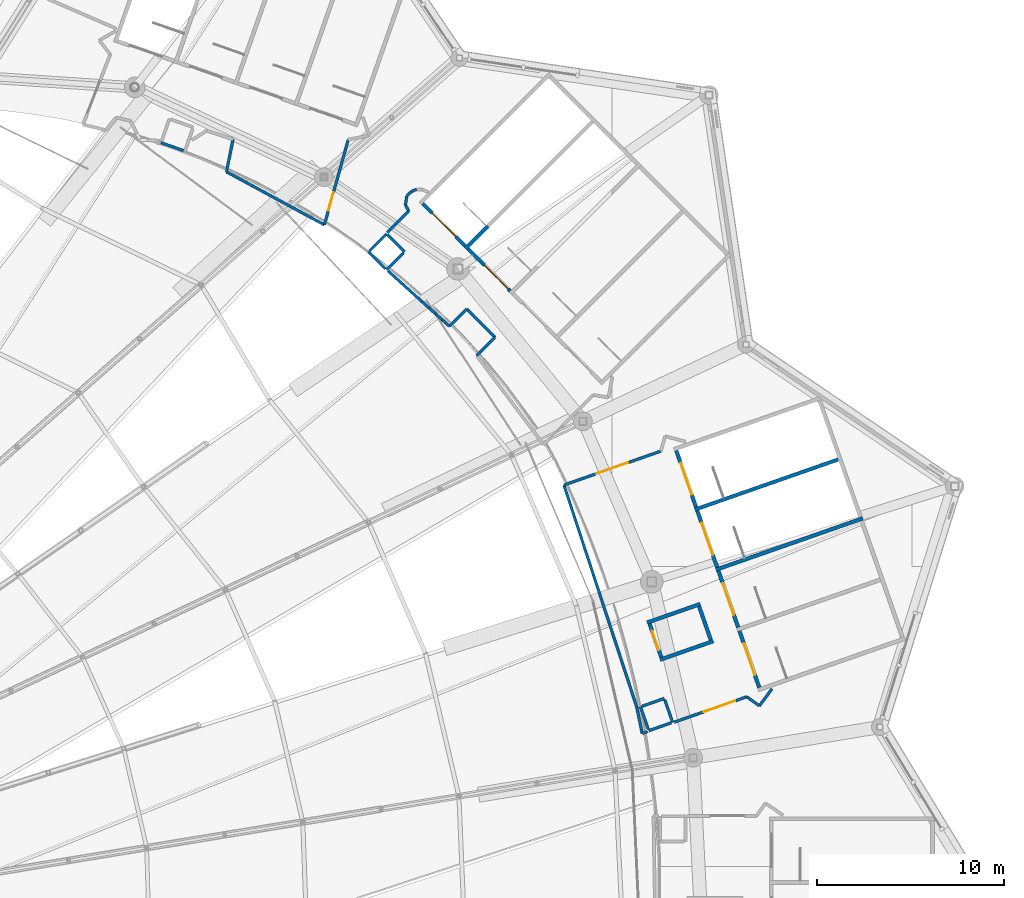
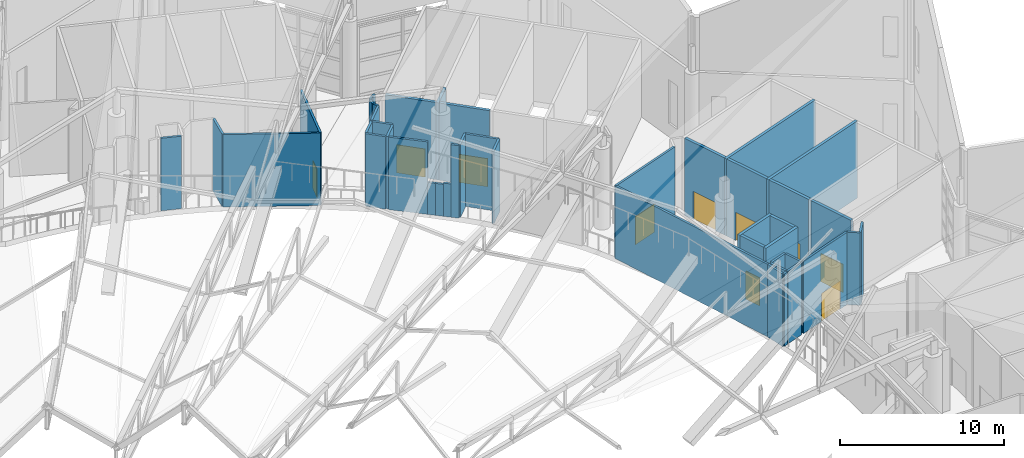
# One storey, part 270 of 344: 45 walls, 10 doors, 10 openings.
"""IFC4 building model written with IfcOpenShell, lengths in metres."""

from ifc_helpers import new_model, si_unit, direction, frame, frame_2d, origin, place, context, subcontext, project, spatial, rectangle, extrude, material, layer, layer_set, type_object, element, fill, save


model = new_model("IFC4")

# Units and contexts
model_context = context("Model", 3, precision=1e-05, world=origin(), true_north=direction((0.0, 1.0)))
body_context = subcontext(model_context, "Body", "Model", "MODEL_VIEW")
ifc_project = project(units=[si_unit("LENGTHUNIT", "METRE"), si_unit("AREAUNIT", "SQUARE_METRE"), si_unit("VOLUMEUNIT", "CUBIC_METRE"), si_unit("PLANEANGLEUNIT", "RADIAN"), si_unit("MASSUNIT", "GRAM", prefix="KILO")], contexts=[model_context])

# Site, building, storey
site_placement = place(None, origin())
site = spatial("IfcSite", under=ifc_project, at=site_placement, CompositionType="ELEMENT")
building_placement = place(site_placement, origin())
building = spatial("IfcBuilding", under=site, at=building_placement, Name="Meseta Stadium", CompositionType="ELEMENT")
storey_placement = place(building_placement, frame((0.0, 0.0, 24.0)))
storey = spatial("IfcBuildingStorey", under=building, at=storey_placement, Name="L04", CompositionType="ELEMENT", Elevation=24.0)

# Walls
ifc_material_1 = material(Name="Concrete C40/50", Category="concrete")
ifc_layer_1 = layer(ifc_material_1, 0.199951171875)
ifc_layer_set_1 = layer_set([ifc_layer_1], Name="Core divider wall 200")
wall_type_1 = type_object("IfcWallType", Name="Core divider wall 200", PredefinedType="SHEAR", material=ifc_layer_set_1)
wall_1_placement = place(storey_placement, frame((92.260009765625, 69.789306640625, 0.0), z_axis=(0.0, 0.0, 1.0), x_axis=(-0.943878073457, -0.330294084791, 0.0)))
element("IfcWall", 1, at=wall_1_placement, inside=storey, type_object=wall_type_1, Name="Core 06 L04 stair B divider wall", PredefinedType="SHEAR", context=body_context, shape_type="SweptSolid", body=[
    extrude(rectangle(XDim=8.300048828125, YDim=0.199951171875, at=frame_2d((4.14990234375, 0.0))), origin(), (0.0, 0.0, 1.0), 5.75),
])
wall_2_placement = place(storey_placement, frame((73.364990234375, 82.17333984375, 0.0), z_axis=(0.0, 0.0, 1.0), x_axis=(-0.707034968179, -0.707178586901, 0.0)))
element("IfcWall", 2, at=wall_2_placement, inside=storey, type_object=wall_type_1, Name="Core 07 L04 stair B divider wall", PredefinedType="SHEAR", context=body_context, shape_type="SweptSolid", body=[
    extrude(rectangle(XDim=1.699951171875, YDim=0.199951171875, at=frame_2d((0.85009765625, 0.0))), origin(), (0.0, 0.0, 1.0), 5.75),
])
ifc_material_2 = material(Name="Concrete C40/50", Category="concrete")
ifc_layer_2 = layer(ifc_material_2, 0.199951171875)
ifc_layer_set_2 = layer_set([ifc_layer_2], Name="Core shaft wall 200")
wall_type_2 = type_object("IfcWallType", Name="Core shaft wall 200", PredefinedType="SHEAR", material=ifc_layer_set_2)
wall_3_placement = place(storey_placement, frame((93.3828125, 66.580078125, 0.0), z_axis=(0.0, 0.0, 1.0), x_axis=(-0.943878073457, -0.330294084791, 0.0)))
element("IfcWall", 3, at=wall_3_placement, inside=storey, type_object=wall_type_2, Name="Core 06 L04 stair wall shared", PredefinedType="SHEAR", context=body_context, shape_type="SweptSolid", body=[
    extrude(rectangle(XDim=8.300048828125, YDim=0.199951171875, at=frame_2d((4.14990234375, 0.0))), origin(), (0.0, 0.0, 1.0), 5.75),
])

# Wall, opening, door
wall_4_placement = place(storey_placement, frame((87.85595703125, 57.547607421875, 0.0), z_axis=(0.0, 0.0, 1.0), x_axis=(-0.330268863922, 0.943886898693, 0.0)))
wall_4 = element("IfcWall", 4, at=wall_4_placement, inside=storey, type_object=wall_type_2, Name="Core 06 L04 stair A1 inner end wall", PredefinedType="SHEAR", context=body_context, shape_type="SweptSolid", body=[
    extrude(rectangle(XDim=3.2001953125, YDim=0.199951171875, at=frame_2d((1.60009765625, 0.0))), origin(), (0.0, 0.0, 1.0), 5.75),
])
opening_1_placement = place(wall_4_placement, frame((0.699951171875, 0.0, 0.0)))
opening_1 = element("IfcOpeningElement", 5, at=opening_1_placement, cuts=wall_4, Name="Opening D1654", PredefinedType="OPENING", context=body_context, shape_type="SweptSolid", body=[
    extrude(rectangle(XDim=1.800048828125, YDim=2.10009765625, at=frame_2d((0.89990234375, 1.050048828125))), frame((0.0, 0.10986328125, 0.0), z_axis=(0.0, -1.0, 0.0), x_axis=(1.0, 0.0, 0.0)), (0.0, 0.0, 1.0), 0.219970703125),
])
ifc_material_3 = material(Name="Steel", Category="steel")
door_type_1 = type_object("IfcDoorType", Name="Stair door 1800x2100", OperationType="DOUBLE_DOOR_SINGLE_SWING", PredefinedType="DOOR", material=ifc_material_3)
door_1_placement = place(opening_1_placement, origin())
door_1 = element("IfcDoor", 6, at=door_1_placement, inside=storey, type_object=door_type_1, Name="Stair A1 door 06 L04", OperationType="DOUBLE_DOOR_SINGLE_SWING", OverallHeight=2.10009765625, OverallWidth=1.800048828125, PredefinedType="DOOR", context=body_context, shape_type="SweptSolid", body=[
    extrude(rectangle(XDim=1.800048828125, YDim=2.10009765625, at=frame_2d((0.89990234375, 1.050048828125))), frame((0.0, 0.02490234375, 0.0), z_axis=(0.0, -1.0, 0.0), x_axis=(1.0, 0.0, 0.0)), (0.0, 0.0, 1.0), 0.050048828125),
])
fill(opening_1, door_1)

wall_5_placement = place(storey_placement, frame((86.73291015625, 60.7568359375, 0.0), z_axis=(0.0, 0.0, 1.0), x_axis=(-0.330268863922, 0.943886898693, 0.0)))
wall_5 = element("IfcWall", 7, at=wall_5_placement, inside=storey, type_object=wall_type_2, Name="Core 06 L04 stair A2 inner end wall", PredefinedType="SHEAR", context=body_context, shape_type="SweptSolid", body=[
    extrude(rectangle(XDim=3.2001953125, YDim=0.199951171875, at=frame_2d((1.60009765625, 0.0))), origin(), (0.0, 0.0, 1.0), 5.75),
])
opening_2_placement = place(wall_5_placement, frame((0.699951171875, 0.0, 0.0)))
opening_2 = element("IfcOpeningElement", 8, at=opening_2_placement, cuts=wall_5, Name="Opening D1648", PredefinedType="OPENING", context=body_context, shape_type="SweptSolid", body=[
    extrude(rectangle(XDim=1.800048828125, YDim=2.10009765625, at=frame_2d((0.89990234375, 1.050048828125))), frame((0.0, 0.10986328125, 0.0), z_axis=(0.0, -1.0, 0.0), x_axis=(1.0, 0.0, 0.0)), (0.0, 0.0, 1.0), 0.219970703125),
])
door_2_placement = place(opening_2_placement, origin())
door_2 = element("IfcDoor", 9, at=door_2_placement, inside=storey, type_object=door_type_1, Name="Stair A2 door 06 L04", OperationType="DOUBLE_DOOR_SINGLE_SWING", OverallHeight=2.10009765625, OverallWidth=1.800048828125, PredefinedType="DOOR", context=body_context, shape_type="SweptSolid", body=[
    extrude(rectangle(XDim=1.800048828125, YDim=2.10009765625, at=frame_2d((0.89990234375, 1.050048828125))), frame((0.0, 0.02490234375, 0.0), z_axis=(0.0, -1.0, 0.0), x_axis=(1.0, 0.0, 0.0)), (0.0, 0.0, 1.0), 0.050048828125),
])
fill(opening_2, door_2)

wall_6_placement = place(storey_placement, frame((85.610107421875, 63.966064453125, 0.0), z_axis=(0.0, 0.0, 1.0), x_axis=(-0.330268863922, 0.943886898693, 0.0)))
wall_6 = element("IfcWall", 10, at=wall_6_placement, inside=storey, type_object=wall_type_2, Name="Core 06 L04 stair B1 inner end wall", PredefinedType="SHEAR", context=body_context, shape_type="SweptSolid", body=[
    extrude(rectangle(XDim=3.2001953125, YDim=0.199951171875, at=frame_2d((1.60009765625, 0.0))), origin(), (0.0, 0.0, 1.0), 5.75),
])
opening_3_placement = place(wall_6_placement, frame((0.699951171875, 0.0, 0.0)))
opening_3 = element("IfcOpeningElement", 11, at=opening_3_placement, cuts=wall_6, Name="Opening D1641", PredefinedType="OPENING", context=body_context, shape_type="SweptSolid", body=[
    extrude(rectangle(XDim=1.800048828125, YDim=2.10009765625, at=frame_2d((0.89990234375, 1.050048828125))), frame((0.0, 0.10986328125, 0.0), z_axis=(0.0, -1.0, 0.0), x_axis=(1.0, 0.0, 0.0)), (0.0, 0.0, 1.0), 0.219970703125),
])
door_3_placement = place(opening_3_placement, origin())
door_3 = element("IfcDoor", 12, at=door_3_placement, inside=storey, type_object=door_type_1, Name="Stair B1 door 06 L04", OperationType="DOUBLE_DOOR_SINGLE_SWING", OverallHeight=2.10009765625, OverallWidth=1.800048828125, PredefinedType="DOOR", context=body_context, shape_type="SweptSolid", body=[
    extrude(rectangle(XDim=1.800048828125, YDim=2.10009765625, at=frame_2d((0.89990234375, 1.050048828125))), frame((0.0, 0.02490234375, 0.0), z_axis=(0.0, -1.0, 0.0), x_axis=(1.0, 0.0, 0.0)), (0.0, 0.0, 1.0), 0.050048828125),
])
fill(opening_3, door_3)

wall_7_placement = place(storey_placement, frame((84.487060546875, 67.17529296875, 0.0), z_axis=(0.0, 0.0, 1.0), x_axis=(-0.330268863922, 0.943886898693, 0.0)))
wall_7 = element("IfcWall", 13, at=wall_7_placement, inside=storey, type_object=wall_type_2, Name="Core 06 L04 stair B2 inner end wall", PredefinedType="SHEAR", context=body_context, shape_type="SweptSolid", body=[
    extrude(rectangle(XDim=3.2001953125, YDim=0.199951171875, at=frame_2d((1.60009765625, 0.0))), origin(), (0.0, 0.0, 1.0), 5.75),
])
opening_4_placement = place(wall_7_placement, frame((0.699951171875, 0.0, 0.0)))
opening_4 = element("IfcOpeningElement", 14, at=opening_4_placement, cuts=wall_7, Name="Opening D1639", PredefinedType="OPENING", context=body_context, shape_type="SweptSolid", body=[
    extrude(rectangle(XDim=1.800048828125, YDim=2.10009765625, at=frame_2d((0.89990234375, 1.050048828125))), frame((0.0, 0.10986328125, 0.0), z_axis=(0.0, -1.0, 0.0), x_axis=(1.0, 0.0, 0.0)), (0.0, 0.0, 1.0), 0.219970703125),
])
door_4_placement = place(opening_4_placement, origin())
door_4 = element("IfcDoor", 15, at=door_4_placement, inside=storey, type_object=door_type_1, Name="Stair B2 door 06 L04", OperationType="DOUBLE_DOOR_SINGLE_SWING", OverallHeight=2.10009765625, OverallWidth=1.800048828125, PredefinedType="DOOR", context=body_context, shape_type="SweptSolid", body=[
    extrude(rectangle(XDim=1.800048828125, YDim=2.10009765625, at=frame_2d((0.89990234375, 1.050048828125))), frame((0.0, 0.02490234375, 0.0), z_axis=(0.0, -1.0, 0.0), x_axis=(1.0, 0.0, 0.0)), (0.0, 0.0, 1.0), 0.050048828125),
])
fill(opening_4, door_4)

# Walls
wall_8_placement = place(storey_placement, frame((85.39990234375, 60.025390625, 0.0), z_axis=(0.0, 0.0, 1.0), x_axis=(-0.943900215722, -0.330230802259, 0.0)))
element("IfcWall", 16, at=wall_8_placement, inside=storey, type_object=wall_type_2, Name="Core 06 L04 lift shaft wall left", PredefinedType="SHEAR", context=body_context, shape_type="SweptSolid", body=[
    extrude(rectangle(XDim=3.0, YDim=0.199951171875, at=frame_2d((1.5, 0.0))), origin(), (0.0, 0.0, 1.0), 4.60009765625),
])
wall_9_placement = place(storey_placement, frame((84.706298828125, 62.0078125, 0.0), z_axis=(0.0, 0.0, 1.0), x_axis=(-0.943874847782, -0.330303302625, 0.0)))
element("IfcWall", 17, at=wall_9_placement, inside=storey, type_object=wall_type_2, Name="Core 06 L04 lift shaft wall right", PredefinedType="SHEAR", context=body_context, shape_type="SweptSolid", body=[
    extrude(rectangle(XDim=3.000244140625, YDim=0.199951171875, at=frame_2d((1.5, 0.0))), origin(), (0.0, 0.0, 1.0), 4.60009765625),
])
wall_10_placement = place(storey_placement, frame((85.272216796875, 60.0869140625, 0.0), z_axis=(0.0, 0.0, 1.0), x_axis=(-0.330224505327, 0.943902418729, 0.0)))
element("IfcWall", 18, at=wall_10_placement, inside=storey, type_object=wall_type_2, Name="Core 06 L04 lift shaft back wall", PredefinedType="SHEAR", context=body_context, shape_type="SweptSolid", body=[
    extrude(rectangle(XDim=1.900146484375, YDim=0.199951171875, at=frame_2d((0.9501953125, 0.0))), origin(), (0.0, 0.0, 1.0), 4.60009765625),
])

# Wall, opening, door
wall_11_placement = place(storey_placement, frame((82.62939453125, 59.162109375, 0.0), z_axis=(0.0, 0.0, 1.0), x_axis=(-0.330224505327, 0.943902418729, 0.0)))
wall_11 = element("IfcWall", 19, at=wall_11_placement, inside=storey, type_object=wall_type_2, Name="Core 06 L04 lift shaft front wall", PredefinedType="SHEAR", context=body_context, shape_type="SweptSolid", body=[
    extrude(rectangle(XDim=1.900146484375, YDim=0.199951171875, at=frame_2d((0.9501953125, 0.0))), origin(), (0.0, 0.0, 1.0), 4.60009765625),
])
opening_5_placement = place(wall_11_placement, frame((0.39990234375, 0.0, 0.0)))
opening_5 = element("IfcOpeningElement", 20, at=opening_5_placement, cuts=wall_11, Name="Opening LD36", PredefinedType="OPENING", context=body_context, shape_type="SweptSolid", body=[
    extrude(rectangle(XDim=1.10009765625, YDim=2.10009765625, at=frame_2d((0.550048828125, 1.050048828125))), frame((0.0, 0.10986328125, 0.0), z_axis=(0.0, -1.0, 0.0), x_axis=(1.0, 0.0, 0.0)), (0.0, 0.0, 1.0), 0.219970703125),
])
ifc_material_4 = material(Name="Steel", Category="steel")
door_type_2 = type_object("IfcDoorType", Name="Lift landing door 1100x2100", OperationType="SLIDING_TO_LEFT", PredefinedType="DOOR", material=ifc_material_4)
door_5_placement = place(opening_5_placement, origin())
door_5 = element("IfcDoor", 21, at=door_5_placement, inside=storey, type_object=door_type_2, Name="Lift landing door LD36", OperationType="SLIDING_TO_RIGHT", OverallHeight=2.10009765625, OverallWidth=1.10009765625, PredefinedType="DOOR", context=body_context, shape_type="SweptSolid", body=[
    extrude(rectangle(XDim=1.10009765625, YDim=2.10009765625, at=frame_2d((0.550048828125, 1.050048828125))), frame((0.0, 0.02490234375, 0.0), z_axis=(0.0, -1.0, 0.0), x_axis=(1.0, 0.0, 0.0)), (0.0, 0.0, 1.0), 0.050048828125),
])
fill(opening_5, door_5)

wall_12_placement = place(storey_placement, frame((74.567138671875, 78.70849609375, 0.0), z_axis=(0.0, 0.0, 1.0), x_axis=(-0.707106781187, 0.707106781187, 0.0)))
wall_12 = element("IfcWall", 22, at=wall_12_placement, inside=storey, type_object=wall_type_2, Name="Core 07 L04 stair B1 inner end wall", PredefinedType="SHEAR", context=body_context, shape_type="SweptSolid", body=[
    extrude(rectangle(XDim=3.199951171875, YDim=0.199951171875, at=frame_2d((1.60009765625, 0.0))), origin(), (0.0, 0.0, 1.0), 5.75),
])
opening_6_placement = place(wall_12_placement, frame((0.14990234375, 0.0, 0.0)))
opening_6 = element("IfcOpeningElement", 23, at=opening_6_placement, cuts=wall_12, Name="Opening D1627", PredefinedType="OPENING", context=body_context, shape_type="SweptSolid", body=[
    extrude(rectangle(XDim=1.800048828125, YDim=2.10009765625, at=frame_2d((0.89990234375, 1.050048828125))), frame((0.0, 0.10986328125, 0.0), z_axis=(0.0, -1.0, 0.0), x_axis=(1.0, 0.0, 0.0)), (0.0, 0.0, 1.0), 0.219970703125),
])
door_6_placement = place(opening_6_placement, origin())
door_6 = element("IfcDoor", 24, at=door_6_placement, inside=storey, type_object=door_type_1, Name="Stair B1 door 07 L04", OperationType="DOUBLE_DOOR_SINGLE_SWING", OverallHeight=2.10009765625, OverallWidth=1.800048828125, PredefinedType="DOOR", context=body_context, shape_type="SweptSolid", body=[
    extrude(rectangle(XDim=1.800048828125, YDim=2.10009765625, at=frame_2d((0.89990234375, 1.050048828125))), frame((0.0, 0.02490234375, 0.0), z_axis=(0.0, -1.0, 0.0), x_axis=(1.0, 0.0, 0.0)), (0.0, 0.0, 1.0), 0.050048828125),
])
fill(opening_6, door_6)

wall_13_placement = place(storey_placement, frame((72.1630859375, 81.11279296875, 0.0), z_axis=(0.0, 0.0, 1.0), x_axis=(-0.707144925854, 0.707068634461, 0.0)))
wall_13 = element("IfcWall", 25, at=wall_13_placement, inside=storey, type_object=wall_type_2, Name="Core 07 L04 stair B2 inner end wall", PredefinedType="SHEAR", context=body_context, shape_type="SweptSolid", body=[
    extrude(rectangle(XDim=3.2001953125, YDim=0.199951171875, at=frame_2d((1.60009765625, 0.0))), origin(), (0.0, 0.0, 1.0), 5.75),
])
opening_7_placement = place(wall_13_placement, frame((0.699951171875, 0.0, 0.0)))
opening_7 = element("IfcOpeningElement", 26, at=opening_7_placement, cuts=wall_13, Name="Opening D1625", PredefinedType="OPENING", context=body_context, shape_type="SweptSolid", body=[
    extrude(rectangle(XDim=1.800048828125, YDim=2.10009765625, at=frame_2d((0.89990234375, 1.050048828125))), frame((0.0, 0.10986328125, 0.0), z_axis=(0.0, -1.0, 0.0), x_axis=(1.0, 0.0, 0.0)), (0.0, 0.0, 1.0), 0.219970703125),
])
door_7_placement = place(opening_7_placement, origin())
door_7 = element("IfcDoor", 27, at=door_7_placement, inside=storey, type_object=door_type_1, Name="Stair B2 door 07 L04", OperationType="DOUBLE_DOOR_SINGLE_SWING", OverallHeight=2.10009765625, OverallWidth=1.800048828125, PredefinedType="DOOR", context=body_context, shape_type="SweptSolid", body=[
    extrude(rectangle(XDim=1.800048828125, YDim=2.10009765625, at=frame_2d((0.89990234375, 1.050048828125))), frame((0.0, 0.02490234375, 0.0), z_axis=(0.0, -1.0, 0.0), x_axis=(1.0, 0.0, 0.0)), (0.0, 0.0, 1.0), 0.050048828125),
])
fill(opening_7, door_7)

# Walls
ifc_material_5 = material(Name="Masonry blockwork", Category="masonry")
ifc_layer_3 = layer(ifc_material_5, 0.14990234375)
ifc_layer_set_3 = layer_set([ifc_layer_3], Name="Partition 150")
wall_type_3 = type_object("IfcWallType", Name="Partition 150", PredefinedType="PARTITIONING", material=ifc_layer_set_3)
for number, where, z_axis, x_axis, name in (
    (28, (83.234619140625, 55.692138671875, 0.0), (0.0, 0.0, 1.0), (-0.330324835387, 0.943867312246, 0.0), "Pressurisation shaft wall L04 core 06"),
    (29, (82.78857421875, 56.96630859375, 0.0), (0.0, 0.0, 1.0), (-0.943927004722, -0.330154221169, 0.0), "Pressurisation shaft wall L04 core 06"),
    (30, (81.514404296875, 56.5205078125, 0.0), (0.0, 0.0, 1.0), (0.330154221169, -0.943927004722, 0.0), "Pressurisation shaft wall L04 core 06"),
):
    element("IfcWall", number, at=place(storey_placement, frame(where, z_axis=z_axis, x_axis=x_axis)), inside=storey, type_object=wall_type_3, Name=name, PredefinedType="PARTITIONING", context=body_context, shape_type="SweptSolid", body=[
        extrude(rectangle(XDim=1.27490234375, YDim=0.14990234375, at=frame_2d((0.637451171875, 0.0))), origin(), (0.0, 0.0, 1.0), 5.39990234375),
    ])
wall_14_placement = place(storey_placement, frame((81.960205078125, 55.246337890625, 0.0), z_axis=(0.0, 0.0, 1.0), x_axis=(0.943888201207, 0.330265141396, 0.0)))
element("IfcWall", 31, at=wall_14_placement, inside=storey, type_object=wall_type_3, Name="Pressurisation shaft wall L04 core 06", PredefinedType="PARTITIONING", context=body_context, shape_type="SweptSolid", body=[
    extrude(rectangle(XDim=1.275146484375, YDim=0.14990234375, at=frame_2d((0.6376953125, 0.0))), origin(), (0.0, 0.0, 1.0), 5.39990234375),
])
wall_15_placement = place(storey_placement, frame((81.327392578125, 56.467529296875, 0.0), z_axis=(0.0, 0.0, 1.0), x_axis=(0.200862273188, -0.979619491032, 0.0)))
element("IfcWall", 32, at=wall_15_placement, inside=storey, type_object=wall_type_3, Name="Stair vestibule wall L04 core 06", PredefinedType="PARTITIONING", context=body_context, shape_type="SweptSolid", body=[
    extrude(rectangle(XDim=1.39404296875, YDim=0.14990234375, at=frame_2d((0.697021484375, 0.0))), origin(), (0.0, 0.0, 1.0), 5.39990234375),
])
wall_16_placement = place(storey_placement, frame((81.607421875, 55.101806640625, 0.0), z_axis=(0.0, 0.0, 1.0), x_axis=(0.944111851886, 0.329625258633, 0.0)))
element("IfcWall", 33, at=wall_16_placement, inside=storey, type_object=wall_type_3, Name="Stair vestibule wall L04 core 06", PredefinedType="PARTITIONING", context=body_context, shape_type="SweptSolid", body=[
    extrude(rectangle(XDim=0.300048828125, YDim=0.14990234375, at=frame_2d((0.14990234375, 0.0))), origin(), (0.0, 0.0, 1.0), 5.39990234375),
])

# Wall, opening, door
wall_17_placement = place(storey_placement, frame((83.3212890625, 55.701416015625, 0.0), z_axis=(0.0, 0.0, 1.0), x_axis=(0.943873211719, 0.330307977801, 0.0)))
wall_17 = element("IfcWall", 34, at=wall_17_placement, inside=storey, type_object=wall_type_3, Name="Stair vestibule wall L04 core 06", PredefinedType="PARTITIONING", context=body_context, shape_type="SweptSolid", body=[
    extrude(rectangle(XDim=4.09912109375, YDim=0.14990234375, at=frame_2d((2.049560546875, 0.0))), origin(), (0.0, 0.0, 1.0), 5.39990234375),
])
opening_8_placement = place(wall_17_placement, frame((1.64990234375, 0.0, 0.0)))
opening_8 = element("IfcOpeningElement", 35, at=opening_8_placement, cuts=wall_17, Name="Opening D1646", PredefinedType="OPENING", context=body_context, shape_type="SweptSolid", body=[
    extrude(rectangle(XDim=1.800048828125, YDim=2.10009765625, at=frame_2d((0.89990234375, 1.050048828125))), frame((0.0, 0.0849609375, 0.0), z_axis=(0.0, -1.0, 0.0), x_axis=(1.0, 0.0, 0.0)), (0.0, 0.0, 1.0), 0.169921875),
])
ifc_material_6 = material(Name="Steel", Category="steel")
door_type_3 = type_object("IfcDoorType", Name="Fire double door 1800x2100 EI2 60", OperationType="DOUBLE_DOOR_SINGLE_SWING", PredefinedType="DOOR", material=ifc_material_6)
door_8_placement = place(opening_8_placement, origin())
door_8 = element("IfcDoor", 36, at=door_8_placement, inside=storey, type_object=door_type_3, Name="Stair vestibule door L04 core 06", OperationType="DOUBLE_DOOR_SINGLE_SWING", OverallHeight=2.10009765625, OverallWidth=1.800048828125, PredefinedType="DOOR", context=body_context, shape_type="SweptSolid", body=[
    extrude(rectangle(XDim=1.800048828125, YDim=2.10009765625, at=frame_2d((0.89990234375, 1.050048828125))), frame((0.0, 0.02490234375, 0.0), z_axis=(0.0, -1.0, 0.0), x_axis=(1.0, 0.0, 0.0)), (0.0, 0.0, 1.0), 0.050048828125),
])
fill(opening_8, door_8)

# Walls
wall_18_placement = place(storey_placement, frame((87.1904296875, 57.055419921875, 0.0), z_axis=(0.0, 0.0, 1.0), x_axis=(0.813315890962, -0.581822362504, 0.0)))
element("IfcWall", 37, at=wall_18_placement, inside=storey, type_object=wall_type_3, Name="Stair vestibule wall L04 core 06", PredefinedType="PARTITIONING", context=body_context, shape_type="SweptSolid", body=[
    extrude(rectangle(XDim=0.830078125, YDim=0.14990234375, at=frame_2d((0.4150390625, 0.0))), origin(), (0.0, 0.0, 1.0), 5.39990234375),
])
wall_19_placement = place(storey_placement, frame((87.865478515625, 56.572509765625, 0.0), z_axis=(0.0, 0.0, 1.0), x_axis=(0.595036002288, 0.803699045651, 0.0)))
element("IfcWall", 38, at=wall_19_placement, inside=storey, type_object=wall_type_3, Name="Stair vestibule wall L04 core 06", PredefinedType="PARTITIONING", context=body_context, shape_type="SweptSolid", body=[
    extrude(rectangle(XDim=1.1279296875, YDim=0.14990234375, at=frame_2d((0.56396484375, 0.0))), origin(), (0.0, 0.0, 1.0), 5.39990234375),
])

# Wall, opening, door
wall_20_placement = place(storey_placement, frame((82.602783203125, 70.165771484375, 0.0), z_axis=(0.0, 0.0, 1.0), x_axis=(-0.943878515349, -0.330292821996, 0.0)))
wall_20 = element("IfcWall", 39, at=wall_20_placement, inside=storey, type_object=wall_type_3, Name="Stair vestibule wall L04 core 06", PredefinedType="PARTITIONING", context=body_context, shape_type="SweptSolid", body=[
    extrude(rectangle(XDim=5.47509765625, YDim=0.14990234375, at=frame_2d((2.737548828125, 0.0))), origin(), (0.0, 0.0, 1.0), 5.39990234375),
])
opening_9_placement = place(wall_20_placement, frame((1.85009765625, 0.0, 0.0)))
opening_9 = element("IfcOpeningElement", 40, at=opening_9_placement, cuts=wall_20, Name="Opening D1634", PredefinedType="OPENING", context=body_context, shape_type="SweptSolid", body=[
    extrude(rectangle(XDim=1.800048828125, YDim=2.10009765625, at=frame_2d((0.89990234375, 1.050048828125))), frame((0.0, 0.0849609375, 0.0), z_axis=(0.0, -1.0, 0.0), x_axis=(1.0, 0.0, 0.0)), (0.0, 0.0, 1.0), 0.169921875),
])
door_9_placement = place(opening_9_placement, origin())
door_9 = element("IfcDoor", 41, at=door_9_placement, inside=storey, type_object=door_type_3, Name="Stair vestibule door L04 core 06", OperationType="DOUBLE_DOOR_SINGLE_SWING", OverallHeight=2.10009765625, OverallWidth=1.800048828125, PredefinedType="DOOR", context=body_context, shape_type="SweptSolid", body=[
    extrude(rectangle(XDim=1.800048828125, YDim=2.10009765625, at=frame_2d((0.89990234375, 1.050048828125))), frame((0.0, 0.02490234375, 0.0), z_axis=(0.0, -1.0, 0.0), x_axis=(1.0, 0.0, 0.0)), (0.0, 0.0, 1.0), 0.050048828125),
])
fill(opening_9, door_9)

# Walls
wall_21_placement = place(storey_placement, frame((77.43505859375, 68.357421875, 0.0), z_axis=(0.0, 0.0, 1.0), x_axis=(0.311320262687, -0.950305053149, 0.0)))
element("IfcWall", 42, at=wall_21_placement, inside=storey, type_object=wall_type_3, Name="Stair vestibule wall L04 core 06", PredefinedType="PARTITIONING", context=body_context, shape_type="SweptSolid", body=[
    extrude(rectangle(XDim=12.532470703125, YDim=0.14990234375, at=frame_2d((6.26611328125, 0.0))), origin(), (0.0, 0.0, 1.0), 5.39990234375),
])
for number, where, z_axis, x_axis, name in (
    (43, (68.917724609375, 80.802001953125, 0.0), (0.0, 0.0, 1.0), (-0.707106781187, 0.707106781187, 0.0), "Pressurisation shaft wall L04 core 07"),
    (44, (67.963134765625, 81.756591796875, 0.0), (0.0, 0.0, 1.0), (-0.707106781187, -0.707106781187, 0.0), "Pressurisation shaft wall L04 core 07"),
    (45, (67.008544921875, 80.802001953125, 0.0), (0.0, 0.0, 1.0), (0.707106781187, -0.707106781187, 0.0), "Pressurisation shaft wall L04 core 07"),
):
    element("IfcWall", number, at=place(storey_placement, frame(where, z_axis=z_axis, x_axis=x_axis)), inside=storey, type_object=wall_type_3, Name=name, PredefinedType="PARTITIONING", context=body_context, shape_type="SweptSolid", body=[
        extrude(rectangle(XDim=1.275146484375, YDim=0.14990234375, at=frame_2d((0.6376953125, 0.0))), origin(), (0.0, 0.0, 1.0), 5.39990234375),
    ])
wall_22_placement = place(storey_placement, frame((67.963134765625, 79.847412109375, 0.0), z_axis=(0.0, 0.0, 1.0), x_axis=(0.707202523759, 0.707011025648, 0.0)))
element("IfcWall", 46, at=wall_22_placement, inside=storey, type_object=wall_type_3, Name="Pressurisation shaft wall L04 core 07", PredefinedType="PARTITIONING", context=body_context, shape_type="SweptSolid", body=[
    extrude(rectangle(XDim=1.27490234375, YDim=0.14990234375, at=frame_2d((0.637451171875, 0.0))), origin(), (0.0, 0.0, 1.0), 5.39990234375),
])
wall_23_placement = place(storey_placement, frame((69.567626953125, 84.137451171875, 0.0), z_axis=(0.0, 0.0, 1.0), x_axis=(-0.923869084389, -0.382708655389, 0.0)))
element("IfcWall", 47, at=wall_23_placement, inside=storey, type_object=wall_type_3, Name="Stair vestibule wall L04 core 07", PredefinedType="PARTITIONING", context=body_context, shape_type="SweptSolid", body=[
    extrude(rectangle(XDim=0.281982421875, YDim=0.14990234375, at=frame_2d((0.14111328125, 0.0))), origin(), (0.0, 0.0, 1.0), 5.39990234375),
])
wall_24_placement = place(storey_placement, frame((69.30712890625, 84.029541015625, 0.0), z_axis=(0.0, 0.0, 1.0), x_axis=(-0.733947821225, -0.679205856658, 0.0)))
element("IfcWall", 48, at=wall_24_placement, inside=storey, type_object=wall_type_3, Name="Stair vestibule wall L04 core 07", PredefinedType="PARTITIONING", context=body_context, shape_type="SweptSolid", body=[
    extrude(rectangle(XDim=0.361328125, YDim=0.14990234375, at=frame_2d((0.1806640625, 0.0))), origin(), (0.0, 0.0, 1.0), 5.39990234375),
])
wall_25_placement = place(storey_placement, frame((69.0419921875, 83.7841796875, 0.0), z_axis=(0.0, 0.0, 1.0), x_axis=(-0.14318574461, -0.989695833345, 0.0)))
element("IfcWall", 49, at=wall_25_placement, inside=storey, type_object=wall_type_3, Name="Stair vestibule wall L04 core 07", PredefinedType="PARTITIONING", context=body_context, shape_type="SweptSolid", body=[
    extrude(rectangle(XDim=0.484130859375, YDim=0.14990234375, at=frame_2d((0.2421875, 0.0))), origin(), (0.0, 0.0, 1.0), 5.39990234375),
])
wall_26_placement = place(storey_placement, frame((68.97265625, 83.304931640625, 0.0), z_axis=(0.0, 0.0, 1.0), x_axis=(0.487354621502, -0.873204141596, 0.0)))
element("IfcWall", 50, at=wall_26_placement, inside=storey, type_object=wall_type_3, Name="Stair vestibule wall L04 core 07", PredefinedType="PARTITIONING", context=body_context, shape_type="SweptSolid", body=[
    extrude(rectangle(XDim=0.375244140625, YDim=0.14990234375, at=frame_2d((0.1875, 0.0))), origin(), (0.0, 0.0, 1.0), 5.39990234375),
])
wall_27_placement = place(storey_placement, frame((69.155517578125, 82.977294921875, 0.0), z_axis=(0.0, 0.0, 1.0), x_axis=(-0.707106781187, -0.707106781187, 0.0)))
element("IfcWall", 51, at=wall_27_placement, inside=storey, type_object=wall_type_3, Name="Stair vestibule wall L04 core 07", PredefinedType="PARTITIONING", context=body_context, shape_type="SweptSolid", body=[
    extrude(rectangle(XDim=1.62548828125, YDim=0.14990234375, at=frame_2d((0.812744140625, 0.0))), origin(), (0.0, 0.0, 1.0), 5.39990234375),
])
wall_28_placement = place(storey_placement, frame((68.03369140625, 79.7919921875, 0.0), z_axis=(0.0, 0.0, 1.0), x_axis=(0.742586219179, -0.669750481213, 0.0)))
element("IfcWall", 52, at=wall_28_placement, inside=storey, type_object=wall_type_3, Name="Stair vestibule wall L04 core 07", PredefinedType="PARTITIONING", context=body_context, shape_type="SweptSolid", body=[
    extrude(rectangle(XDim=2.45361328125, YDim=0.14990234375, at=frame_2d((1.226806640625, 0.0))), origin(), (0.0, 0.0, 1.0), 5.39990234375),
])
wall_29_placement = place(storey_placement, frame((69.855712890625, 78.148681640625, 0.0), z_axis=(0.0, 0.0, 1.0), x_axis=(0.742477572111, -0.669870924068, 0.0)))
element("IfcWall", 53, at=wall_29_placement, inside=storey, type_object=wall_type_3, Name="Stair vestibule wall L04 core 07", PredefinedType="PARTITIONING", context=body_context, shape_type="SweptSolid", body=[
    extrude(rectangle(XDim=0.490966796875, YDim=0.14990234375, at=frame_2d((0.24560546875, 0.0))), origin(), (0.0, 0.0, 1.0), 2.37890625),
])
wall_30_placement = place(storey_placement, frame((70.22021484375, 77.81982421875, 0.0), z_axis=(0.0, 0.0, 1.0), x_axis=(0.742724945946, -0.669596635796, 0.0)))
element("IfcWall", 54, at=wall_30_placement, inside=storey, type_object=wall_type_3, Name="Stair vestibule wall L04 core 07", PredefinedType="PARTITIONING", context=body_context, shape_type="SweptSolid", body=[
    extrude(rectangle(XDim=0.49072265625, YDim=0.14990234375, at=frame_2d((0.245361328125, 0.0))), origin(), (0.0, 0.0, 1.0), 2.37890625),
])
wall_31_placement = place(storey_placement, frame((70.584716796875, 77.4912109375, 0.0), z_axis=(0.0, 0.0, 1.0), x_axis=(0.742254293896, -0.670118320293, 0.0)))
element("IfcWall", 55, at=wall_31_placement, inside=storey, type_object=wall_type_3, Name="Stair vestibule wall L04 core 07", PredefinedType="PARTITIONING", context=body_context, shape_type="SweptSolid", body=[
    extrude(rectangle(XDim=0.49072265625, YDim=0.14990234375, at=frame_2d((0.245361328125, 0.0))), origin(), (0.0, 0.0, 1.0), 2.474365234375),
])
wall_32_placement = place(storey_placement, frame((70.948974609375, 77.162353515625, 0.0), z_axis=(0.0, 0.0, 1.0), x_axis=(0.742724945946, -0.669596635796, 0.0)))
element("IfcWall", 56, at=wall_32_placement, inside=storey, type_object=wall_type_3, Name="Stair vestibule wall L04 core 07", PredefinedType="PARTITIONING", context=body_context, shape_type="SweptSolid", body=[
    extrude(rectangle(XDim=0.49072265625, YDim=0.14990234375, at=frame_2d((0.245361328125, 0.0))), origin(), (0.0, 0.0, 1.0), 5.39990234375),
])
wall_33_placement = place(storey_placement, frame((71.3134765625, 76.833740234375, 0.0), z_axis=(0.0, 0.0, 1.0), x_axis=(0.707664949678, 0.706548171746, 0.0)))
element("IfcWall", 57, at=wall_33_placement, inside=storey, type_object=wall_type_3, Name="Stair vestibule wall L04 core 07", PredefinedType="PARTITIONING", context=body_context, shape_type="SweptSolid", body=[
    extrude(rectangle(XDim=1.311767578125, YDim=0.14990234375, at=frame_2d((0.65576171875, 0.0))), origin(), (0.0, 0.0, 1.0), 5.39990234375),
])
wall_34_placement = place(storey_placement, frame((72.24169921875, 77.760498046875, 0.0), z_axis=(0.0, 0.0, 1.0), x_axis=(0.707163624852, -0.707049932951, 0.0)))
element("IfcWall", 58, at=wall_34_placement, inside=storey, type_object=wall_type_3, Name="Stair vestibule wall L04 core 07", PredefinedType="PARTITIONING", context=body_context, shape_type="SweptSolid", body=[
    extrude(rectangle(XDim=2.1474609375, YDim=0.14990234375, at=frame_2d((1.07373046875, 0.0))), origin(), (0.0, 0.0, 1.0), 5.39990234375),
])
wall_35_placement = place(storey_placement, frame((73.76025390625, 76.2421875, 0.0), z_axis=(0.0, 0.0, 1.0), x_axis=(-0.706226529773, -0.707985938168, 0.0)))
element("IfcWall", 59, at=wall_35_placement, inside=storey, type_object=wall_type_3, Name="Stair vestibule wall L04 core 07", PredefinedType="PARTITIONING", context=body_context, shape_type="SweptSolid", body=[
    extrude(rectangle(XDim=1.3876953125, YDim=0.14990234375, at=frame_2d((0.69384765625, 0.0))), origin(), (0.0, 0.0, 1.0), 5.39990234375),
])
wall_36_placement = place(storey_placement, frame((55.928466796875, 86.62451171875, 0.0), z_axis=(0.0, 0.0, 1.0), x_axis=(0.943867312246, -0.330324835387, 0.0)))
element("IfcWall", 60, at=wall_36_placement, inside=storey, type_object=wall_type_3, Name="Pressurisation shaft wall L04 core 08", PredefinedType="PARTITIONING", context=body_context, shape_type="SweptSolid", body=[
    extrude(rectangle(XDim=1.27490234375, YDim=0.14990234375, at=frame_2d((0.637451171875, 0.0))), origin(), (0.0, 0.0, 1.0), 5.39990234375),
])
wall_37_placement = place(storey_placement, frame((59.771484375, 86.803955078125, 0.0), z_axis=(0.0, 0.0, 1.0), x_axis=(-0.198644459535, -0.980071619167, 0.0)))
element("IfcWall", 61, at=wall_37_placement, inside=storey, type_object=wall_type_3, Name="Stair vestibule wall L04 core 08", PredefinedType="PARTITIONING", context=body_context, shape_type="SweptSolid", body=[
    extrude(rectangle(XDim=1.763671875, YDim=0.14990234375, at=frame_2d((0.8818359375, 0.0))), origin(), (0.0, 0.0, 1.0), 5.39990234375),
])
wall_38_placement = place(storey_placement, frame((59.421142578125, 85.075439453125, 0.0), z_axis=(0.0, 0.0, 1.0), x_axis=(0.879221718344, -0.476412814681, 0.0)))
element("IfcWall", 62, at=wall_38_placement, inside=storey, type_object=wall_type_3, Name="Stair vestibule wall L04 core 08", PredefinedType="PARTITIONING", context=body_context, shape_type="SweptSolid", body=[
    extrude(rectangle(XDim=5.944091796875, YDim=0.14990234375, at=frame_2d((2.97216796875, 0.0))), origin(), (0.0, 0.0, 1.0), 5.39990234375),
])

# Wall, opening, door
wall_39_placement = place(storey_placement, frame((64.647216796875, 82.24365234375, 0.0), z_axis=(0.0, 0.0, 1.0), x_axis=(0.269497535686, 0.963001079054, 0.0)))
wall_39 = element("IfcWall", 63, at=wall_39_placement, inside=storey, type_object=wall_type_3, Name="Stair vestibule wall L04 core 08", PredefinedType="PARTITIONING", context=body_context, shape_type="SweptSolid", body=[
    extrude(rectangle(XDim=4.7197265625, YDim=0.14990234375, at=frame_2d((2.35986328125, 0.0))), origin(), (0.0, 0.0, 1.0), 5.39990234375),
])
opening_10_placement = place(wall_39_placement, frame((0.800048828125, 0.0, 0.0)))
opening_10 = element("IfcOpeningElement", 64, at=opening_10_placement, cuts=wall_39, Name="Opening D1622", PredefinedType="OPENING", context=body_context, shape_type="SweptSolid", body=[
    extrude(rectangle(XDim=1.0, YDim=2.10009765625, at=frame_2d((0.5, 1.050048828125))), frame((0.0, 0.0849609375, 0.0), z_axis=(0.0, -1.0, 0.0), x_axis=(1.0, 0.0, 0.0)), (0.0, 0.0, 1.0), 0.169921875),
])
ifc_material_7 = material(Name="Steel", Category="steel")
door_type_4 = type_object("IfcDoorType", Name="Fire door 1000x2100 EI2 60", OperationType="NOTDEFINED", PredefinedType="DOOR", material=ifc_material_7)
door_10_placement = place(opening_10_placement, origin())
door_10 = element("IfcDoor", 65, at=door_10_placement, inside=storey, type_object=door_type_4, Name="Stair vestibule door L04 core 08", OperationType="SINGLE_SWING_LEFT", OverallHeight=2.10009765625, OverallWidth=1.0, PredefinedType="DOOR", context=body_context, shape_type="SweptSolid", body=[
    extrude(rectangle(XDim=1.0, YDim=2.10009765625, at=frame_2d((0.5, 1.050048828125))), frame((0.0, 0.02490234375, 0.0), z_axis=(0.0, -1.0, 0.0), x_axis=(1.0, 0.0, 0.0)), (0.0, 0.0, 1.0), 0.050048828125),
])
fill(opening_10, door_10)

save(model, "model.ifc")
